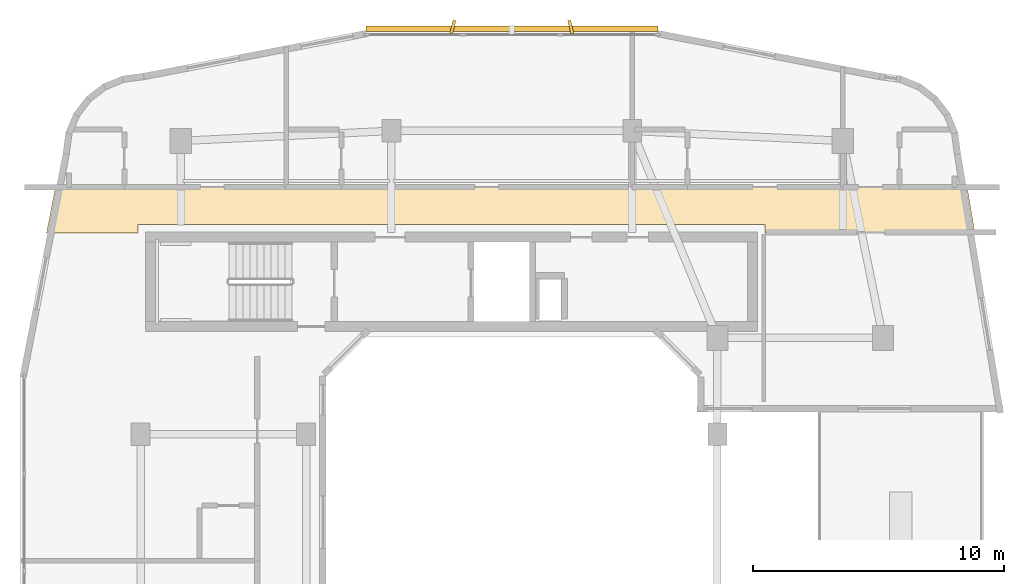
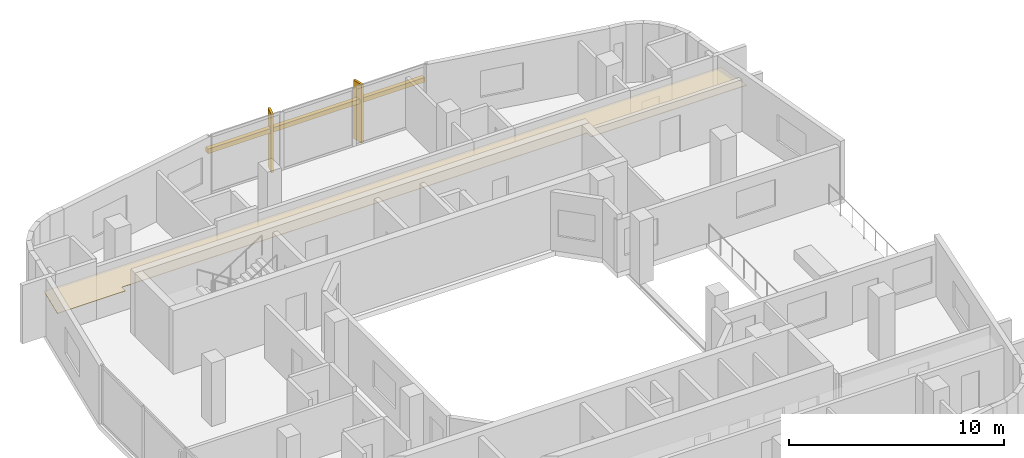
# One storey, part 12 of 12: 3 shading devices, 1 covering.
"""IFC4 building model written with IfcOpenShell, lengths in metres."""

from ifc_helpers import new_model, si_unit, derived_unit, direction, frame, origin, origin_2d, place, context, subcontext, project, spatial, polyline, rectangle, outline, extrude, material, layer, layer_set, type_object, element, save


model = new_model("IFC4")

# Units and contexts
model_context = context("Model", 3, precision=1e-05, world=origin(), true_north=direction((0.0, 1.0)))
body_context = subcontext(model_context, "Body", "Model", "MODEL_VIEW")
ifc_project = project(units=[si_unit("LENGTHUNIT", "METRE"), si_unit("AREAUNIT", "SQUARE_METRE"), si_unit("VOLUMEUNIT", "CUBIC_METRE"), si_unit("PLANEANGLEUNIT", "RADIAN"), si_unit("MASSUNIT", "GRAM", prefix="KILO"), derived_unit("THERMALTRANSMITTANCEUNIT", [(si_unit("POWERUNIT", "WATT"), 1), (si_unit("LENGTHUNIT", "METRE"), -2), (si_unit("THERMODYNAMICTEMPERATUREUNIT", "KELVIN"), -1)])], contexts=[model_context])

# Site, building, storey
site_placement = place(None, origin())
site = spatial("IfcSite", under=ifc_project, at=site_placement, CompositionType="ELEMENT")
building_placement = place(site_placement, origin())
building = spatial("IfcBuilding", under=site, at=building_placement, Name="Kivonza Crest Hotel", CompositionType="ELEMENT")
storey_placement = place(building_placement, frame((0.0, 0.0, 177.5)))
storey = spatial("IfcBuildingStorey", under=building, at=storey_placement, Name="L48", CompositionType="ELEMENT", Elevation=177.5)

# Covering
ifc_material_1 = material(Name="Moisture-resistant gypsum plasterboard ceiling", Category="gypsum")
ifc_layer = layer(ifc_material_1, 0.030029296875)
ifc_layer_set = layer_set([ifc_layer], Name="Moisture-resistant gypsum plasterboard ceiling")
covering_type = type_object("IfcCoveringType", Name="CV-CEIL-GYP", PredefinedType="CEILING", material=ifc_layer_set)
covering_placement = place(storey_placement, frame((0.0, 0.0, 2.449951171875)))
element("IfcCovering", 1, at=covering_placement, inside=storey, type_object=covering_type, Name="L48 Hotel North Guest Corridor suspended ceiling", PredefinedType="CEILING", context=body_context, shape_type="SweptSolid", body=[
    extrude(outline(polyline([(2.806884765625, 38.389892578125), (2.447021484375, 36.52001953125), (6.10009765625, 36.52001953125), (6.10009765625, 36.860107421875), (31.10009765625, 36.860107421875), (31.10009765625, 36.52001953125), (39.465087890625, 36.52001953125), (39.156982421875, 38.389892578125), (2.806884765625, 38.389892578125)])), origin(), (0.0, 0.0, 1.0), 0.030029296875),
])

# Shading devices
ifc_material_2 = material(Name="Kiln-fired Nairobi red-ochre terracotta", Category="masonry")
shading_device_type_1 = type_object("IfcShadingDeviceType", Name="SH-BAGUETTE-300", PredefinedType="USERDEFINED", material=ifc_material_2)
shading_device_placement = place(storey_placement, frame((21.0, 44.679931640625, 2.19384765625), z_axis=(0.0, 0.0, 1.0), x_axis=(-1.0, 0.0, 0.0)))
element("IfcShadingDevice", 2, at=shading_device_placement, inside=storey, type_object=shading_device_type_1, Name="L48 terracotta baguette screen CW-T1-L48-36", ObjectType="BAGUETTE", PredefinedType="USERDEFINED", context=body_context, shape_type="SweptSolid", body=[
    extrude(rectangle(XDim=11.639892578125, YDim=0.219970703125, at=origin_2d()), origin(), (0.0, 0.0, 1.0), 0.260009765625),
])
ifc_material_3 = material(Name="Kiln-fired terracotta over extruded aluminium spine", Category="masonry")
shading_device_type_2 = type_object("IfcShadingDeviceType", Name="SH-FIN-550", PredefinedType="USERDEFINED", material=ifc_material_3)
for number, where, z_axis, x_axis, name in (
    (3, (23.35205078125, 44.739990234375, 0.0), (0.0, 0.0, 1.0), (-0.970295726276, -0.2419218956, 0.0), "L48 vertical solar shading fin CW-T1-L48-36-1"),
    (4, (18.64794921875, 44.739990234375, 0.0), (0.0, 0.0, 1.0), (-0.970295726276, 0.2419218956, 0.0), "L48 vertical solar shading fin CW-T1-L48-36-2"),
):
    element("IfcShadingDevice", number, at=place(storey_placement, frame(where, z_axis=z_axis, x_axis=x_axis)), inside=storey, type_object=shading_device_type_2, Name=name, ObjectType="FIN", PredefinedType="USERDEFINED", context=body_context, shape_type="SweptSolid", body=[
        extrude(rectangle(XDim=0.1201171875, YDim=0.550048828125, at=origin_2d()), origin(), (0.0, 0.0, 1.0), 3.320068359375),
    ])

save(model, "model.ifc")
